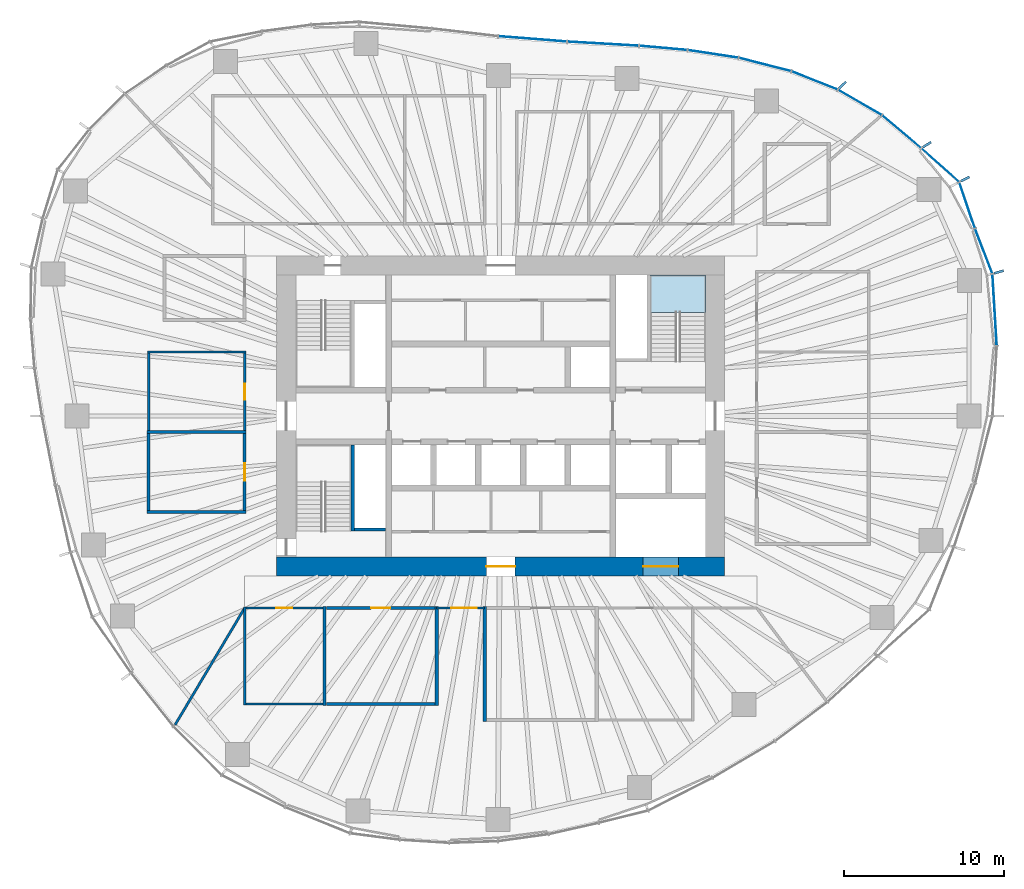
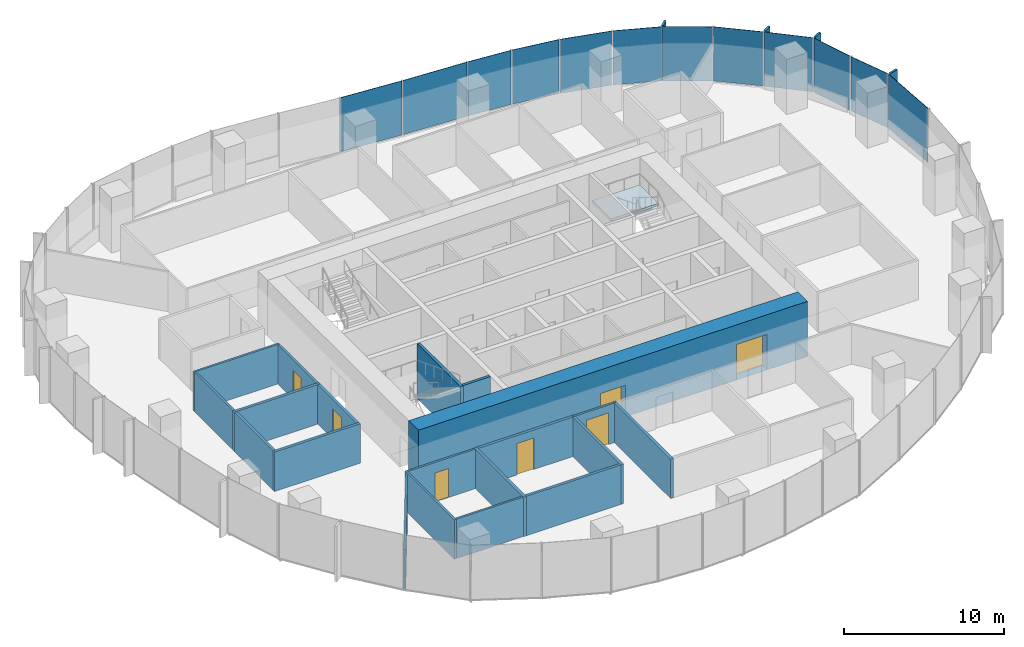
# One storey, part 8 of 18: 20 walls, 16 plates, 7 doors, 1 slab, 7 openings, 6 elements without a shape of their own.
"""IFC4 building model written with IfcOpenShell, lengths in metres."""

import ifcopenshell
import ifcopenshell.guid

model = None  # the IFC model being written
_history = None  # IfcOwnerHistory: only IFC2X3 demands one
_inside = {}  # id of a spatial element -> (the spatial element, [elements in it])
_under = {}  # id of a project, library or spatial element -> (it, [spatial elements below it])
_declared = {}  # id of a project -> (the project, [libraries it declares])
_typed = {}  # id of a type object -> (the type object, [elements of that type])
_made_of = {}  # id of a material, layer set ... -> (it, [elements and type objects made of it])


def new_model(schema):
    """Start an empty IFC model of exactly this schema.

    Asked for "IFC4X3", IfcOpenShell would pick the latest addendum, in which some entities
    have other attributes; the version numbers below select the first issue.
    IFC2X3 requires an IfcOwnerHistory on every rooted entity: one is made here for all.
    """
    global model, _history
    if schema == "IFC4X3":
        model = ifcopenshell.file(schema_version=(4, 3, 0, 0))
    else:
        model = ifcopenshell.file(schema=schema)
    _inside.clear()
    _under.clear()
    _declared.clear()
    _typed.clear()
    _made_of.clear()
    _history = None
    if model.schema == "IFC2X3":
        org = make("IfcOrganization", Name="unknown")
        user = make(
            "IfcPersonAndOrganization",
            ThePerson=make("IfcPerson", FamilyName="unknown"),
            TheOrganization=org,
        )
        app = make(
            "IfcApplication",
            ApplicationDeveloper=org,
            Version="unknown",
            ApplicationFullName="unknown",
            ApplicationIdentifier="unknown",
        )
        _history = make(
            "IfcOwnerHistory",
            OwningUser=user,
            OwningApplication=app,
            ChangeAction="ADDED",
            CreationDate=0,
        )
    return model


def make(cls, **values):
    """One entity of the class cls with the attributes given. An attribute that is None is left unset."""
    return model.create_entity(
        cls, **{name: value for name, value in values.items() if value is not None}
    )


def rooted(cls, **values):
    """An entity with a GlobalId (a new one), such as an element, a storey or a relation."""
    return make(cls, GlobalId=ifcopenshell.guid.new(), OwnerHistory=_history, **values)


def si_unit(unit_type, name, prefix=None):
    """IfcSIUnit, for example si_unit("LENGTHUNIT", "METRE", prefix="MILLI")."""
    return make("IfcSIUnit", UnitType=unit_type, Prefix=prefix, Name=name)


def assignment(units):
    """IfcUnitAssignment: the units of a project."""
    return None if units is None else make("IfcUnitAssignment", Units=units)


def point(xyz):
    """IfcCartesianPoint."""
    return None if xyz is None else make("IfcCartesianPoint", Coordinates=xyz)


def direction(xyz):
    """IfcDirection."""
    return None if xyz is None else make("IfcDirection", DirectionRatios=xyz)


def frame(location, z_axis=None, x_axis=None):
    """IfcAxis2Placement3D, a coordinate frame: its origin and axes. An axis left out is left unset."""
    return make(
        "IfcAxis2Placement3D",
        Location=point(location),
        Axis=direction(z_axis),
        RefDirection=direction(x_axis),
    )


def frame_2d(location, x_axis=None):
    """IfcAxis2Placement2D, a coordinate frame in the plane: its origin and x axis."""
    return make(
        "IfcAxis2Placement2D", Location=point(location), RefDirection=direction(x_axis)
    )


def origin():
    """The frame at (0, 0, 0) with its axes left unset."""
    return frame((0.0, 0.0, 0.0))


def origin_2d():
    """The frame at (0, 0) in the plane with its x axis left unset."""
    return frame_2d((0.0, 0.0))


def place(relative_to, where):
    """IfcLocalPlacement: puts the frame where relative to a parent placement (None: the world)."""
    return make(
        "IfcLocalPlacement", PlacementRelTo=relative_to, RelativePlacement=where
    )


def context(
    kind, dimensions, precision=None, world=None, true_north=None, identifier=None
):
    """IfcGeometricRepresentationContext, for example the 3D "Model" context."""
    return make(
        "IfcGeometricRepresentationContext",
        ContextIdentifier=identifier,
        ContextType=kind,
        CoordinateSpaceDimension=dimensions,
        Precision=precision,
        WorldCoordinateSystem=world,
        TrueNorth=true_north,
    )


def subcontext(parent, identifier, kind, view, scale=None):
    """IfcGeometricRepresentationSubContext, for example "Body" below "Model"."""
    return make(
        "IfcGeometricRepresentationSubContext",
        ContextIdentifier=identifier,
        ContextType=kind,
        ParentContext=parent,
        TargetScale=scale,
        TargetView=view,
    )


def project(units=None, contexts=None):
    """IfcProject with its units and contexts."""
    return rooted(
        "IfcProject",
        Name="project",
        RepresentationContexts=contexts,
        UnitsInContext=assignment(units),
    )


def spatial(cls, under=None, at=None, **own):
    """A site, building, storey or space (cls), placed at a placement, below another one or the project."""
    s = rooted(cls, ObjectPlacement=at, **own)
    if under is not None:
        _under.setdefault(under.id(), (under, []))[1].append(s)
    return s


def polyline(points):
    """IfcPolyline through the points."""
    return make("IfcPolyline", Points=[point(p) for p in points])


def profile(cls, at=None, kind="AREA", **sizes):
    """A parametric profile (cls). Its sizes go by their IFC names, for example OverallWidth=200.0."""
    return make(cls, ProfileType=kind, Position=at, **sizes)


def rectangle(**sizes):
    """IfcRectangleProfileDef."""
    return profile("IfcRectangleProfileDef", **sizes)


def outline(outer, holes=None, kind="AREA"):
    """IfcArbitraryClosedProfileDef: a profile drawn as a closed curve; with holes, ...WithVoids."""
    if holes is None:
        return make("IfcArbitraryClosedProfileDef", ProfileType=kind, OuterCurve=outer)
    return make(
        "IfcArbitraryProfileDefWithVoids",
        ProfileType=kind,
        OuterCurve=outer,
        InnerCurves=holes,
    )


def extrude(swept, where, along, depth):
    """IfcExtrudedAreaSolid: the profile swept, set in the frame where, extruded along a direction by depth."""
    return make(
        "IfcExtrudedAreaSolid",
        SweptArea=swept,
        Position=where,
        ExtrudedDirection=direction(along),
        Depth=depth,
    )


def shape(context_of_items, identifier, shape_type, items):
    """IfcShapeRepresentation: the items that make up one representation, for example the "Body"."""
    return make(
        "IfcShapeRepresentation",
        ContextOfItems=context_of_items,
        RepresentationIdentifier=identifier,
        RepresentationType=shape_type,
        Items=items,
    )


def material(Name=None, Category=None):
    """IfcMaterial."""
    return make("IfcMaterial", Name=Name, Category=Category)


def layer(
    of_material, thickness, ventilated=None, Name=None, Category=None, Priority=None
):
    """IfcMaterialLayer: one layer of a wall or slab, of a material (None: an air gap)."""
    return make(
        "IfcMaterialLayer",
        Material=of_material,
        LayerThickness=thickness,
        IsVentilated=ventilated,
        Name=Name,
        Category=Category,
        Priority=Priority,
    )


def layer_set(layers, Name=None):
    """IfcMaterialLayerSet."""
    return make("IfcMaterialLayerSet", MaterialLayers=layers, LayerSetName=Name)


def made_of(thing, what):
    """Note that an element or type object is made of a material, layer set ...; save() writes the relation."""
    if what is not None:
        _made_of.setdefault(what.id(), (what, []))[1].append(thing)
    return thing


def type_object(cls, material=None, **own):
    """A type object (cls), such as IfcWallType, which elements share."""
    return made_of(rooted(cls, **own), material)


def element(
    cls,
    number,
    at=None,
    inside=None,
    cuts=None,
    type_object=None,
    material=None,
    context=None,
    identifier="Body",
    shape_type=None,
    held_by="IfcProductDefinitionShape",
    body=None,
    shapes=None,
    **own,
):
    """One element of the class cls, such as IfcWall. Its Tag is "e" and its number.

    at: its placement. inside: the storey or other place that contains it. cuts: it is an
    opening in that element (IfcRelVoidsElement). A single representation is given by context,
    identifier, shape_type and body (its items); several are given by shapes. held_by: the class
    of the entity that holds the representations. save() writes the other relations.
    """
    e = rooted(cls, Tag="e%d" % number, ObjectPlacement=at, **own)
    if body is not None:
        shapes = [shape(context, identifier, shape_type, body)]
    if shapes is not None:
        e.Representation = make(held_by, Representations=shapes)
    if inside is not None:
        _inside.setdefault(inside.id(), (inside, []))[1].append(e)
    if cuts is not None:
        rooted(
            "IfcRelVoidsElement", RelatingBuildingElement=cuts, RelatedOpeningElement=e
        )
    if type_object is not None:
        _typed.setdefault(type_object.id(), (type_object, []))[1].append(e)
    return made_of(e, material)


def fill(opening, filler):
    """IfcRelFillsElement: the door or window that sits in an opening."""
    return rooted(
        "IfcRelFillsElement",
        RelatingOpeningElement=opening,
        RelatedBuildingElement=filler,
    )


def aggregate(whole, parts):
    """IfcRelAggregates: a whole, such as a stair, and the parts it consists of."""
    return rooted("IfcRelAggregates", RelatingObject=whole, RelatedObjects=parts)


def save(model, path):
    """Write the relations noted so far, then the file.

    IfcRelAggregates (storeys below a building ...), IfcRelContainedInSpatialStructure (elements
    in a storey), IfcRelDefinesByType, IfcRelAssociatesMaterial and IfcRelDeclares: one each for
    every whole, place, type object, material and project.
    """
    for whole, parts in _under.values():
        aggregate(whole, parts)
    for where, things in _inside.values():
        rooted(
            "IfcRelContainedInSpatialStructure",
            RelatedElements=things,
            RelatingStructure=where,
        )
    for kind, things in _typed.values():
        rooted("IfcRelDefinesByType", RelatedObjects=things, RelatingType=kind)
    for what, things in _made_of.values():
        rooted("IfcRelAssociatesMaterial", RelatedObjects=things, RelatingMaterial=what)
    for by, libraries in _declared.values():
        rooted("IfcRelDeclares", RelatingContext=by, RelatedDefinitions=libraries)
    model.write(path)


model = new_model("IFC4")

# Units and contexts
model_context = context("Model", 3, precision=1e-05, world=origin(), true_north=direction((0.0, 1.0)))
body_context = subcontext(model_context, "Body", "Model", "MODEL_VIEW")
ifc_project = project(units=[si_unit("LENGTHUNIT", "METRE"), si_unit("AREAUNIT", "SQUARE_METRE"), si_unit("VOLUMEUNIT", "CUBIC_METRE"), si_unit("PLANEANGLEUNIT", "RADIAN"), si_unit("MASSUNIT", "GRAM", prefix="KILO")], contexts=[model_context])

# Site, building, storey
site_placement = place(None, origin())
site = spatial("IfcSite", under=ifc_project, at=site_placement, CompositionType="ELEMENT")
building_placement = place(site_placement, origin())
building = spatial("IfcBuilding", under=site, at=building_placement, Name="Ghaith Harvest Tower", CompositionType="ELEMENT")
storey_placement = place(building_placement, frame((0.0, 0.0, 117.60009765625)))
storey = spatial("IfcBuildingStorey", under=building, at=storey_placement, Name="L24", CompositionType="ELEMENT", Elevation=117.60009765625)

# Curtain wall, plate
ifc_material_1 = material(Name="Black anodised aluminium and fritted glass", Category="aluminium")
curtain_wall_type = type_object("IfcCurtainWallType", Name="CW-L CURTAIN WALL", PredefinedType="NOTDEFINED", material=ifc_material_1)
curtain_wall_1_placement = place(storey_placement, origin())
curtain_wall_1 = element("IfcCurtainWall", 1, at=curtain_wall_1_placement, inside=storey, type_object=curtain_wall_type, Name="Curtain wall CW-L bay 01 L24", PredefinedType="NOTDEFINED")
ifc_material_2 = material(Name="Glass, dark solar-control fritted double glazed unit", Category="glass")
ifc_layer_1 = layer(ifc_material_2, 0.031982421875)
ifc_layer_set_1 = layer_set([ifc_layer_1], Name="CW-L VISION PANEL")
plate_type_1 = type_object("IfcPlateType", Name="CW-L VISION PANEL", PredefinedType="CURTAIN_PANEL", material=ifc_layer_set_1)
plate_1_placement = place(storey_placement, frame((30.863037109375, 6.63525390625, 0.079833984375), z_axis=(0.0, 0.0, 1.0), x_axis=(-0.060320650032, 0.998179051663, 0.0)))
plate_1 = element("IfcPlate", 2, at=plate_1_placement, type_object=plate_type_1, Name="CW-L glass unit 2 bay 01 L24", PredefinedType="CURTAIN_PANEL", context=body_context, shape_type="SweptSolid", body=[
    extrude(rectangle(XDim=4.419189453125, YDim=0.031982421875, at=origin_2d()), origin(), (0.0, 0.0, 1.0), 4.1201171875),
])
aggregate(curtain_wall_1, [plate_1])

# Curtain wall, plates
curtain_wall_2_placement = place(storey_placement, origin())
curtain_wall_2 = element("IfcCurtainWall", 3, at=curtain_wall_2_placement, inside=storey, type_object=curtain_wall_type, Name="Curtain wall CW-L bay 02 L24", PredefinedType="NOTDEFINED")
plate_2_placement = place(storey_placement, frame((30.180908203125, 10.29833984375, 0.079833984375), z_axis=(0.0, 0.0, 1.0), x_axis=(-0.359676824997, 0.933076943001, 0.0)))
plate_2 = element("IfcPlate", 4, at=plate_2_placement, type_object=plate_type_1, Name="CW-L glass unit 1 bay 02 L24", PredefinedType="CURTAIN_PANEL", context=body_context, shape_type="SweptSolid", body=[
    extrude(rectangle(XDim=2.95849609375, YDim=0.031982421875, at=origin_2d()), origin(), (0.0, 0.0, 1.0), 4.1201171875),
])
plate_3_placement = place(storey_placement, frame((29.142333984375, 13.163818359375, 0.079833984375), z_axis=(0.0, 0.0, 1.0), x_axis=(-0.321853304376, 0.946789549194, 0.0)))
plate_3 = element("IfcPlate", 5, at=plate_3_placement, type_object=plate_type_1, Name="CW-L glass unit 2 bay 02 L24", PredefinedType="CURTAIN_PANEL", context=body_context, shape_type="SweptSolid", body=[
    extrude(rectangle(XDim=2.978759765625, YDim=0.031982421875, at=origin_2d()), origin(), (0.0, 0.0, 1.0), 4.1201171875),
])
plate_4_placement = place(storey_placement, frame((27.46533203125, 15.668701171875, 0.079833984375), z_axis=(0.0, 0.0, 1.0), x_axis=(-0.746250544556, 0.665665174656, 0.0)))
plate_4 = element("IfcPlate", 6, at=plate_4_placement, type_object=plate_type_1, Name="CW-L glass unit 3 bay 02 L24", PredefinedType="CURTAIN_PANEL", context=body_context, shape_type="SweptSolid", body=[
    extrude(rectangle(XDim=3.094970703125, YDim=0.031982421875, at=origin_2d()), origin(), (0.0, 0.0, 1.0), 4.1201171875),
])
aggregate(curtain_wall_2, [plate_2, plate_3, plate_4])

curtain_wall_3_placement = place(storey_placement, origin())
curtain_wall_3 = element("IfcCurtainWall", 7, at=curtain_wall_3_placement, inside=storey, type_object=curtain_wall_type, Name="Curtain wall CW-L bay 03 L24", PredefinedType="NOTDEFINED")
plate_5_placement = place(storey_placement, frame((25.05126953125, 17.7587890625, 0.079833984375), z_axis=(0.0, 0.0, 1.0), x_axis=(-0.765473064857, 0.643467937801, 0.0)))
plate_5 = element("IfcPlate", 8, at=plate_5_placement, type_object=plate_type_1, Name="CW-L glass unit 1 bay 03 L24", PredefinedType="CURTAIN_PANEL", context=body_context, shape_type="SweptSolid", body=[
    extrude(rectangle(XDim=3.13232421875, YDim=0.031982421875, at=origin_2d()), origin(), (0.0, 0.0, 1.0), 4.1201171875),
])
plate_6_placement = place(storey_placement, frame((22.444091796875, 19.590576171875, 0.079833984375), z_axis=(0.0, 0.0, 1.0), x_axis=(-0.865232087993, 0.501371552751, 0.0)))
plate_6 = element("IfcPlate", 9, at=plate_6_placement, type_object=plate_type_1, Name="CW-L glass unit 2 bay 03 L24", PredefinedType="CURTAIN_PANEL", context=body_context, shape_type="SweptSolid", body=[
    extrude(rectangle(XDim=3.10498046875, YDim=0.031982421875, at=origin_2d()), origin(), (0.0, 0.0, 1.0), 4.1201171875),
])
plate_7_placement = place(storey_placement, frame((19.6142578125, 20.963623046875, 0.079833984375), z_axis=(0.0, 0.0, 1.0), x_axis=(-0.929876534019, 0.367871759558, 0.0)))
plate_7 = element("IfcPlate", 10, at=plate_7_placement, type_object=plate_type_1, Name="CW-L glass unit 3 bay 03 L24", PredefinedType="CURTAIN_PANEL", context=body_context, shape_type="SweptSolid", body=[
    extrude(rectangle(XDim=3.042724609375, YDim=0.031982421875, at=origin_2d()), origin(), (0.0, 0.0, 1.0), 4.1201171875),
])
aggregate(curtain_wall_3, [plate_5, plate_6, plate_7])

curtain_wall_4_placement = place(storey_placement, origin())
curtain_wall_4 = element("IfcCurtainWall", 11, at=curtain_wall_4_placement, inside=storey, type_object=curtain_wall_type, Name="Curtain wall CW-L bay 04 L24", PredefinedType="NOTDEFINED")
plate_8_placement = place(storey_placement, frame((16.513427734375, 21.958740234375, 0.079833984375), z_axis=(0.0, 0.0, 1.0), x_axis=(-0.96893110987, 0.247330758955, 0.0)))
plate_8 = element("IfcPlate", 12, at=plate_8_placement, type_object=plate_type_1, Name="CW-L glass unit 1 bay 04 L24", PredefinedType="CURTAIN_PANEL", context=body_context, shape_type="SweptSolid", body=[
    extrude(rectangle(XDim=3.3232421875, YDim=0.031982421875, at=origin_2d()), origin(), (0.0, 0.0, 1.0), 4.1201171875),
])
plate_9_placement = place(storey_placement, frame((13.2685546875, 22.621826171875, 0.079833984375), z_axis=(0.0, 0.0, 1.0), x_axis=(-0.988678736369, 0.150047846542, 0.0)))
plate_9 = element("IfcPlate", 13, at=plate_9_placement, type_object=plate_type_1, Name="CW-L glass unit 2 bay 04 L24", PredefinedType="CURTAIN_PANEL", context=body_context, shape_type="SweptSolid", body=[
    extrude(rectangle(XDim=3.14892578125, YDim=0.031982421875, at=origin_2d()), origin(), (0.0, 0.0, 1.0), 4.1201171875),
])
plate_10_placement = place(storey_placement, frame((10.15966796875, 22.9970703125, 0.079833984375), z_axis=(0.0, 0.0, 1.0), x_axis=(-0.996166190972, 0.087480969151, 0.0)))
plate_10 = element("IfcPlate", 14, at=plate_10_placement, type_object=plate_type_1, Name="CW-L glass unit 3 bay 04 L24", PredefinedType="CURTAIN_PANEL", context=body_context, shape_type="SweptSolid", body=[
    extrude(rectangle(XDim=2.957275390625, YDim=0.031982421875, at=origin_2d()), origin(), (0.0, 0.0, 1.0), 4.1201171875),
])
aggregate(curtain_wall_4, [plate_8, plate_9, plate_10])

curtain_wall_5_placement = place(storey_placement, origin())
curtain_wall_5 = element("IfcCurtainWall", 15, at=curtain_wall_5_placement, inside=storey, type_object=curtain_wall_type, Name="Curtain wall CW-L bay 05 L24", PredefinedType="NOTDEFINED")
plate_11_placement = place(storey_placement, frame((6.396728515625, 23.260498046875, 0.079833984375), z_axis=(0.0, 0.0, 1.0), x_axis=(-0.998320798751, 0.05792739233, 0.0)))
plate_11 = element("IfcPlate", 16, at=plate_11_placement, type_object=plate_type_1, Name="CW-L glass unit 1 bay 05 L24", PredefinedType="CURTAIN_PANEL", context=body_context, shape_type="SweptSolid", body=[
    extrude(rectangle(XDim=4.427734375, YDim=0.031982421875, at=origin_2d()), origin(), (0.0, 0.0, 1.0), 4.1201171875),
])
plate_12_placement = place(storey_placement, frame((1.9921875, 23.560302734375, 0.079833984375), z_axis=(0.0, 0.0, 1.0), x_axis=(-0.996925121312, 0.078360082291, 0.0)))
plate_12 = element("IfcPlate", 17, at=plate_12_placement, type_object=plate_type_1, Name="CW-L glass unit 2 bay 05 L24", PredefinedType="CURTAIN_PANEL", context=body_context, shape_type="SweptSolid", body=[
    extrude(rectangle(XDim=4.242431640625, YDim=0.031982421875, at=origin_2d()), origin(), (0.0, 0.0, 1.0), 4.1201171875),
])
aggregate(curtain_wall_5, [plate_11, plate_12])

# Stair, slab
ifc_material_3 = material(Name="Concrete C40/50, precast", Category="concrete")
stair_type = type_object("IfcStairType", Name="CORE STAIR 24R", PredefinedType="HALF_TURN_STAIR", material=ifc_material_3)
stair_placement = place(storey_placement, origin())
stair = element("IfcStair", 18, at=stair_placement, inside=storey, type_object=stair_type, Name="Stair ST2 L24", PredefinedType="HALF_TURN_STAIR")
ifc_material_4 = material(Name="Concrete C40/50, precast", Category="concrete")
ifc_layer_2 = layer(ifc_material_4, 0.179931640625)
ifc_layer_set_2 = layer_set([ifc_layer_2], Name="STAIR LANDING 180")
slab_type = type_object("IfcSlabType", Name="STAIR LANDING 180", PredefinedType="LANDING", material=ifc_layer_set_2)
slab_placement = place(storey_placement, frame((0.0, 0.0, 1.919921875)))
slab = element("IfcSlab", 19, at=slab_placement, type_object=slab_type, Name="ST2 landing 1", PredefinedType="LANDING", context=body_context, shape_type="SweptSolid", body=[
    extrude(outline(polyline([(12.800048828125, 6.4599609375), (12.800048828125, 8.800048828125), (9.35009765625, 8.800048828125), (9.35009765625, 6.4599609375), (12.800048828125, 6.4599609375)])), origin(), (0.0, 0.0, 1.0), 0.179931640625),
])
aggregate(stair, [slab])

# Plates
ifc_material_5 = material(Name="Glassfibre-reinforced concrete", Category="concrete")
ifc_layer_3 = layer(ifc_material_5, 0.14990234375)
ifc_layer_set_3 = layer_set([ifc_layer_3], Name="SUN-BREAKER FIN 600x150")
plate_type_2 = type_object("IfcPlateType", Name="SUN-BREAKER FIN 600x150", PredefinedType="USERDEFINED", material=ifc_layer_set_3)
for number, where, z_axis, x_axis, name in (
    (20, (31.130859375, 8.99755859375, 0.0), (0.0, 0.0, 1.0), (0.960680349985, 0.277656739792, 0.0), "Sun-breaker fin CW-L 1 bay 02 L24"),
    (21, (29.024169921875, 14.802734375, 0.0), (0.0, 0.0, 1.0), (0.890830752257, 0.454335306611, 0.0), "Sun-breaker fin CW-L 3 bay 02 L24"),
    (22, (26.635009765625, 16.95068359375, 0.0), (0.0, 0.0, 1.0), (0.843643971464, 0.536903016766, 0.0), "Sun-breaker fin CW-L 1 bay 03 L24"),
    (23, (21.367919921875, 20.68115234375, 0.0), (0.0, 0.0, 1.0), (0.7185589652, 0.69546604053, 0.0), "Sun-breaker fin CW-L 3 bay 03 L24"),
):
    element("IfcPlate", number, at=place(storey_placement, frame(where, z_axis=z_axis, x_axis=x_axis)), inside=storey, type_object=plate_type_2, Name=name, ObjectType="SUN-BREAKER FIN", PredefinedType="USERDEFINED", context=body_context, shape_type="SweptSolid", body=[
        extrude(rectangle(XDim=0.60009765625, YDim=0.14990234375, at=origin_2d()), origin(), (0.0, 0.0, 1.0), 4.199951171875),
    ])

# Walls
ifc_material_6 = material(Name="Twin-stud gypsum board, acoustic", Category="gypsum")
ifc_layer_4 = layer(ifc_material_6, 0.199951171875)
ifc_layer_set_4 = layer_set([ifc_layer_4], Name="ACOUSTIC PARTITION 200")
wall_type_1 = type_object("IfcWallType", Name="ACOUSTIC PARTITION 200", PredefinedType="PARTITIONING", material=ifc_layer_set_4)
for number, where, z_axis, x_axis, name in (
    (24, (-11.0, -11.89990234375, 0.0), (0.0, 0.0, 1.0), (0.0, -1.0, 0.0), "Partition L24 row S3 cross wall 2"),
    (25, (-4.0, -11.89990234375, 0.0), (0.0, 0.0, 1.0), (0.0, -1.0, 0.0), "Partition L24 row S3 cross wall 3"),
):
    element("IfcWall", number, at=place(storey_placement, frame(where, z_axis=z_axis, x_axis=x_axis)), inside=storey, type_object=wall_type_1, Name=name, PredefinedType="PARTITIONING", context=body_context, shape_type="SweptSolid", body=[
        extrude(rectangle(XDim=6.2001953125, YDim=0.199951171875, at=frame_2d((3.10009765625, 0.0))), origin(), (0.0, 0.0, 1.0), 3.0),
    ])

# Wall, opening, door
wall_1_placement = place(storey_placement, frame((-10.89990234375, -12.0, 0.0), z_axis=(0.0, 0.0, 1.0), x_axis=(1.0, 0.0, 0.0)))
wall_1 = element("IfcWall", 26, at=wall_1_placement, inside=storey, type_object=wall_type_1, Name="Partition L24-07", PredefinedType="PARTITIONING", context=body_context, shape_type="SweptSolid", body=[
    extrude(rectangle(XDim=6.7998046875, YDim=0.199951171875, at=frame_2d((3.39990234375, 0.0))), origin(), (0.0, 0.0, 1.0), 3.0),
])
opening_1_placement = place(wall_1_placement, frame((2.800048828125, 0.0, 0.0)))
opening_1 = element("IfcOpeningElement", 27, at=opening_1_placement, cuts=wall_1, Name="Opening 24-032", PredefinedType="OPENING", context=body_context, shape_type="SweptSolid", body=[
    extrude(rectangle(XDim=1.199951171875, YDim=2.39990234375, at=frame_2d((0.60009765625, 1.199951171875))), frame((0.0, 0.10986328125, 0.0), z_axis=(0.0, -1.0, 0.0), x_axis=(1.0, 0.0, 0.0)), (0.0, 0.0, 1.0), 0.219970703125),
])
ifc_material_7 = material(Name="Timber door", Category="wood")
door_type_1 = type_object("IfcDoorType", Name="D11 GLAZED 1200x2400", OperationType="SINGLE_SWING_LEFT", PredefinedType="DOOR", material=ifc_material_7)
door_1_placement = place(opening_1_placement, origin())
door_1 = element("IfcDoor", 28, at=door_1_placement, inside=storey, type_object=door_type_1, Name="Meeting room door", OperationType="SINGLE_SWING_LEFT", OverallHeight=2.39990234375, OverallWidth=1.199951171875, PredefinedType="DOOR", context=body_context, shape_type="SweptSolid", body=[
    extrude(rectangle(XDim=1.199951171875, YDim=2.39990234375, at=frame_2d((0.60009765625, 1.199951171875))), frame((0.0, 0.02490234375, 0.0), z_axis=(0.0, -1.0, 0.0), x_axis=(1.0, 0.0, 0.0)), (0.0, 0.0, 1.0), 0.050048828125),
])
fill(opening_1, door_1)

# Walls
wall_2_placement = place(storey_placement, frame((-10.89990234375, -18.0, 0.0), z_axis=(0.0, 0.0, 1.0), x_axis=(1.0, 0.0, 0.0)))
element("IfcWall", 29, at=wall_2_placement, inside=storey, type_object=wall_type_1, Name="Partition L24-07", PredefinedType="PARTITIONING", context=body_context, shape_type="SweptSolid", body=[
    extrude(rectangle(XDim=6.7998046875, YDim=0.199951171875, at=frame_2d((3.39990234375, 0.0))), origin(), (0.0, 0.0, 1.0), 3.0),
])
wall_3_placement = place(storey_placement, frame((-1.0, -11.89990234375, 0.0), z_axis=(0.0, 0.0, 1.0), x_axis=(0.0, -1.0, 0.0)))
element("IfcWall", 30, at=wall_3_placement, inside=storey, type_object=wall_type_1, Name="Partition L24 row S4 cross wall 1", PredefinedType="PARTITIONING", context=body_context, shape_type="SweptSolid", body=[
    extrude(rectangle(XDim=7.2001953125, YDim=0.199951171875, at=frame_2d((3.60009765625, 0.0))), origin(), (0.0, 0.0, 1.0), 3.0),
])
for number, where, z_axis, x_axis, name in (
    (31, (-15.89990234375, -6.0, 0.0), (0.0, 0.0, 1.0), (-1.0, 0.0, 0.0), "Partition L24 row W6 cross wall 1"),
    (32, (-15.89990234375, -1.0, 0.0), (0.0, 0.0, 1.0), (-1.0, 0.0, 0.0), "Partition L24 row W6 cross wall 2"),
):
    element("IfcWall", number, at=place(storey_placement, frame(where, z_axis=z_axis, x_axis=x_axis)), inside=storey, type_object=wall_type_1, Name=name, PredefinedType="PARTITIONING", context=body_context, shape_type="SweptSolid", body=[
        extrude(rectangle(XDim=6.2001953125, YDim=0.199951171875, at=frame_2d((3.10009765625, 0.0))), origin(), (0.0, 0.0, 1.0), 3.0),
    ])

# Wall, opening, door
wall_4_placement = place(storey_placement, frame((-16.0, -5.89990234375, 0.0), z_axis=(0.0, 0.0, 1.0), x_axis=(0.0, 1.0, 0.0)))
wall_4 = element("IfcWall", 33, at=wall_4_placement, inside=storey, type_object=wall_type_1, Name="Partition L24-13", PredefinedType="PARTITIONING", context=body_context, shape_type="SweptSolid", body=[
    extrude(rectangle(XDim=4.7998046875, YDim=0.199951171875, at=frame_2d((2.39990234375, 0.0))), origin(), (0.0, 0.0, 1.0), 3.0),
])
opening_2_placement = place(wall_4_placement, frame((1.85009765625, 0.0, 0.0)))
opening_2 = element("IfcOpeningElement", 34, at=opening_2_placement, cuts=wall_4, Name="Opening 24-038", PredefinedType="OPENING", context=body_context, shape_type="SweptSolid", body=[
    extrude(rectangle(XDim=1.10009765625, YDim=2.300048828125, at=frame_2d((0.550048828125, 1.14990234375))), frame((0.0, 0.10986328125, 0.0), z_axis=(0.0, -1.0, 0.0), x_axis=(1.0, 0.0, 0.0)), (0.0, 0.0, 1.0), 0.219970703125),
])
ifc_material_8 = material(Name="Timber-framed glazed door", Category="wood")
door_type_2 = type_object("IfcDoorType", Name="D12 GLAZED OFFICE 1100x2300", OperationType="SINGLE_SWING_LEFT", PredefinedType="DOOR", material=ifc_material_8)
door_2_placement = place(opening_2_placement, origin())
door_2 = element("IfcDoor", 35, at=door_2_placement, inside=storey, type_object=door_type_2, Name="Focus room door", OperationType="SINGLE_SWING_LEFT", OverallHeight=2.300048828125, OverallWidth=1.10009765625, PredefinedType="DOOR", context=body_context, shape_type="SweptSolid", body=[
    extrude(rectangle(XDim=1.10009765625, YDim=2.300048828125, at=frame_2d((0.550048828125, 1.14990234375))), frame((0.0, 0.02490234375, 0.0), z_axis=(0.0, -1.0, 0.0), x_axis=(1.0, 0.0, 0.0)), (0.0, 0.0, 1.0), 0.050048828125),
])
fill(opening_2, door_2)

# Wall
wall_5_placement = place(storey_placement, frame((-22.0, -5.89990234375, 0.0), z_axis=(0.0, 0.0, 1.0), x_axis=(0.0, 1.0, 0.0)))
element("IfcWall", 36, at=wall_5_placement, inside=storey, type_object=wall_type_1, Name="Partition L24-13", PredefinedType="PARTITIONING", context=body_context, shape_type="SweptSolid", body=[
    extrude(rectangle(XDim=4.7998046875, YDim=0.199951171875, at=frame_2d((2.39990234375, 0.0))), origin(), (0.0, 0.0, 1.0), 3.0),
])

# Wall, openings, doors
ifc_material_9 = material(Name="Concrete C60/75", Category="concrete")
ifc_layer_5 = layer(ifc_material_9, 1.199951171875)
ifc_layer_set_5 = layer_set([ifc_layer_5], Name="CORE WALL CW1200 C60")
wall_type_2 = type_object("IfcWallType", Name="CORE WALL CW1200 C60", PredefinedType="SHEAR", material=ifc_layer_set_5)
wall_6_placement = place(storey_placement, frame((-14.0, -9.39990234375, 0.0), z_axis=(0.0, 0.0, 1.0), x_axis=(1.0, 0.0, 0.0)))
wall_6 = element("IfcWall", 37, at=wall_6_placement, inside=storey, type_object=wall_type_2, Name="Core wall S L24", PredefinedType="SHEAR", context=body_context, shape_type="SweptSolid", body=[
    extrude(rectangle(XDim=28.0, YDim=1.199951171875, at=frame_2d((14.0, 0.0))), origin(), (0.0, 0.0, 1.0), 4.199951171875),
])
opening_3_placement = place(wall_6_placement, frame((13.10009765625, 0.0, 0.0)))
opening_3 = element("IfcOpeningElement", 38, at=opening_3_placement, cuts=wall_6, Name="Opening 24-018", PredefinedType="OPENING", context=body_context, shape_type="SweptSolid", body=[
    extrude(rectangle(XDim=1.800048828125, YDim=2.39990234375, at=frame_2d((0.89990234375, 1.199951171875))), frame((0.0, 0.60986328125, 0.0), z_axis=(0.0, -1.0, 0.0), x_axis=(1.0, 0.0, 0.0)), (0.0, 0.0, 1.0), 1.219970703125),
])
opening_4_placement = place(wall_6_placement, frame((22.89990234375, 0.0, 0.0)))
opening_4 = element("IfcOpeningElement", 39, at=opening_4_placement, cuts=wall_6, Name="Opening 24-025", PredefinedType="OPENING", context=body_context, shape_type="SweptSolid", body=[
    extrude(rectangle(XDim=2.199951171875, YDim=2.699951171875, at=frame_2d((1.10009765625, 1.35009765625))), frame((0.0, 0.60986328125, 0.0), z_axis=(0.0, -1.0, 0.0), x_axis=(1.0, 0.0, 0.0)), (0.0, 0.0, 1.0), 1.219970703125),
])
ifc_material_10 = material(Name="Steel fire door", Category="steel")
door_type_3 = type_object("IfcDoorType", Name="D4 FD90 PAIR 1800x2400", OperationType="DOUBLE_DOOR_SINGLE_SWING", PredefinedType="DOOR", material=ifc_material_10)
door_3_placement = place(opening_3_placement, origin())
door_3 = element("IfcDoor", 40, at=door_3_placement, inside=storey, type_object=door_type_3, Name="Core service corridor doors", OperationType="DOUBLE_DOOR_SINGLE_SWING", OverallHeight=2.39990234375, OverallWidth=1.800048828125, PredefinedType="DOOR", context=body_context, shape_type="SweptSolid", body=[
    extrude(rectangle(XDim=1.800048828125, YDim=2.39990234375, at=frame_2d((0.89990234375, 1.199951171875))), frame((0.0, 0.02490234375, 0.0), z_axis=(0.0, -1.0, 0.0), x_axis=(1.0, 0.0, 0.0)), (0.0, 0.0, 1.0), 0.050048828125),
])
fill(opening_3, door_3)
ifc_material_11 = material(Name="Steel fire door", Category="steel")
door_type_4 = type_object("IfcDoorType", Name="LD3 LANDING 2200x2700", OperationType="DOUBLE_DOOR_SLIDING", PredefinedType="DOOR", material=ifc_material_11)
door_4_placement = place(opening_4_placement, origin())
door_4 = element("IfcDoor", 41, at=door_4_placement, inside=storey, type_object=door_type_4, Name="Landing door, goods lift GL1", OperationType="DOUBLE_DOOR_SLIDING", OverallHeight=2.699951171875, OverallWidth=2.199951171875, PredefinedType="DOOR", context=body_context, shape_type="SweptSolid", body=[
    extrude(rectangle(XDim=2.199951171875, YDim=2.699951171875, at=frame_2d((1.10009765625, 1.35009765625))), frame((0.0, 0.02490234375, 0.0), z_axis=(0.0, -1.0, 0.0), x_axis=(1.0, 0.0, 0.0)), (0.0, 0.0, 1.0), 0.050048828125),
])
fill(opening_4, door_4)

# Wall
ifc_material_12 = material(Name="Gypsum board on steel studs", Category="steel")
ifc_layer_6 = layer(ifc_material_12, 0.14990234375)
ifc_layer_set_6 = layer_set([ifc_layer_6], Name="PARTITION 150")
wall_type_3 = type_object("IfcWallType", Name="PARTITION 150", PredefinedType="PARTITIONING", material=ifc_layer_set_6)
wall_7_placement = place(storey_placement, frame((-16.0, -11.925048828125, 0.0), z_axis=(0.0, 0.0, 1.0), x_axis=(0.0, -1.0, 0.0)))
element("IfcWall", 42, at=wall_7_placement, inside=storey, type_object=wall_type_3, Name="Partition L24 row S3 cross wall 1", PredefinedType="PARTITIONING", context=body_context, shape_type="SweptSolid", body=[
    extrude(rectangle(XDim=6.14990234375, YDim=0.14990234375, at=frame_2d((3.074951171875, 0.0))), origin(), (0.0, 0.0, 1.0), 3.0),
])

# Wall, opening, door
wall_8_placement = place(storey_placement, frame((-15.925048828125, -12.0, 0.0), z_axis=(0.0, 0.0, 1.0), x_axis=(1.0, 0.0, 0.0)))
wall_8 = element("IfcWall", 43, at=wall_8_placement, inside=storey, type_object=wall_type_3, Name="Partition L24-06", PredefinedType="PARTITIONING", context=body_context, shape_type="SweptSolid", body=[
    extrude(rectangle(XDim=4.824951171875, YDim=0.14990234375, at=frame_2d((2.41259765625, 0.0))), origin(), (0.0, 0.0, 1.0), 3.0),
])
opening_5_placement = place(wall_8_placement, frame((1.91259765625, 0.0, 0.0)))
opening_5 = element("IfcOpeningElement", 44, at=opening_5_placement, cuts=wall_8, Name="Opening 24-031", PredefinedType="OPENING", context=body_context, shape_type="SweptSolid", body=[
    extrude(rectangle(XDim=1.0, YDim=2.199951171875, at=frame_2d((0.5, 1.10009765625))), frame((0.0, 0.0849609375, 0.0), z_axis=(0.0, -1.0, 0.0), x_axis=(1.0, 0.0, 0.0)), (0.0, 0.0, 1.0), 0.169921875),
])
ifc_material_13 = material(Name="Timber door", Category="wood")
door_type_5 = type_object("IfcDoorType", Name="D1 SINGLE 1000x2200", OperationType="SINGLE_SWING_LEFT", PredefinedType="DOOR", material=ifc_material_13)
door_5_placement = place(opening_5_placement, origin())
door_5 = element("IfcDoor", 45, at=door_5_placement, inside=storey, type_object=door_type_5, Name="Store door", OperationType="SINGLE_SWING_LEFT", OverallHeight=2.199951171875, OverallWidth=1.0, PredefinedType="DOOR", context=body_context, shape_type="SweptSolid", body=[
    extrude(rectangle(XDim=1.0, YDim=2.199951171875, at=frame_2d((0.5, 1.10009765625))), frame((0.0, 0.02490234375, 0.0), z_axis=(0.0, -1.0, 0.0), x_axis=(1.0, 0.0, 0.0)), (0.0, 0.0, 1.0), 0.050048828125),
])
fill(opening_5, door_5)

# Walls
wall_9_placement = place(storey_placement, frame((-15.925048828125, -18.0, 0.0), z_axis=(0.0, 0.0, 1.0), x_axis=(1.0, 0.0, 0.0)))
element("IfcWall", 46, at=wall_9_placement, inside=storey, type_object=wall_type_3, Name="Partition L24-06", PredefinedType="PARTITIONING", context=body_context, shape_type="SweptSolid", body=[
    extrude(rectangle(XDim=4.824951171875, YDim=0.14990234375, at=frame_2d((2.41259765625, 0.0))), origin(), (0.0, 0.0, 1.0), 3.0),
])
wall_10_placement = place(storey_placement, frame((-15.925048828125, 4.0, 0.0), z_axis=(0.0, 0.0, 1.0), x_axis=(-1.0, 0.0, 0.0)))
element("IfcWall", 47, at=wall_10_placement, inside=storey, type_object=wall_type_3, Name="Partition L24 row W6 cross wall 3", PredefinedType="PARTITIONING", context=body_context, shape_type="SweptSolid", body=[
    extrude(rectangle(XDim=6.14990234375, YDim=0.14990234375, at=frame_2d((3.074951171875, 0.0))), origin(), (0.0, 0.0, 1.0), 3.0),
])

# Wall, opening, door
wall_11_placement = place(storey_placement, frame((-16.0, -0.89990234375, 0.0), z_axis=(0.0, 0.0, 1.0), x_axis=(0.0, 1.0, 0.0)))
wall_11 = element("IfcWall", 48, at=wall_11_placement, inside=storey, type_object=wall_type_3, Name="Partition L24-14", PredefinedType="PARTITIONING", context=body_context, shape_type="SweptSolid", body=[
    extrude(rectangle(XDim=4.824951171875, YDim=0.14990234375, at=frame_2d((2.41259765625, 0.0))), origin(), (0.0, 0.0, 1.0), 3.0),
])
opening_6_placement = place(wall_11_placement, frame((1.91259765625, 0.0, 0.0)))
opening_6 = element("IfcOpeningElement", 49, at=opening_6_placement, cuts=wall_11, Name="Opening 24-039", PredefinedType="OPENING", context=body_context, shape_type="SweptSolid", body=[
    extrude(rectangle(XDim=1.0, YDim=2.199951171875, at=frame_2d((0.5, 1.10009765625))), frame((0.0, 0.0849609375, 0.0), z_axis=(0.0, -1.0, 0.0), x_axis=(1.0, 0.0, 0.0)), (0.0, 0.0, 1.0), 0.169921875),
])
door_6_placement = place(opening_6_placement, origin())
door_6 = element("IfcDoor", 50, at=door_6_placement, inside=storey, type_object=door_type_5, Name="Print room door", OperationType="SINGLE_SWING_LEFT", OverallHeight=2.199951171875, OverallWidth=1.0, PredefinedType="DOOR", context=body_context, shape_type="SweptSolid", body=[
    extrude(rectangle(XDim=1.0, YDim=2.199951171875, at=frame_2d((0.5, 1.10009765625))), frame((0.0, 0.02490234375, 0.0), z_axis=(0.0, -1.0, 0.0), x_axis=(1.0, 0.0, 0.0)), (0.0, 0.0, 1.0), 0.050048828125),
])
fill(opening_6, door_6)

# Walls
wall_12_placement = place(storey_placement, frame((-22.0, -0.89990234375, 0.0), z_axis=(0.0, 0.0, 1.0), x_axis=(0.0, 1.0, 0.0)))
element("IfcWall", 51, at=wall_12_placement, inside=storey, type_object=wall_type_3, Name="Partition L24-14", PredefinedType="PARTITIONING", context=body_context, shape_type="SweptSolid", body=[
    extrude(rectangle(XDim=4.824951171875, YDim=0.14990234375, at=frame_2d((2.41259765625, 0.0))), origin(), (0.0, 0.0, 1.0), 3.0),
])
wall_13_placement = place(storey_placement, frame((-16.02001953125, -12.03369140625, 0.0), z_axis=(0.0, 0.0, 1.0), x_axis=(-0.511518902153, -0.859272024879, 0.0)))
element("IfcWall", 52, at=wall_13_placement, inside=storey, type_object=wall_type_3, Name="Partition L24 zone division", PredefinedType="PARTITIONING", context=body_context, shape_type="SweptSolid", body=[
    extrude(rectangle(XDim=8.451416015625, YDim=0.14990234375, at=frame_2d((4.2255859375, 0.0))), origin(), (0.0, 0.0, 1.0), 3.0),
])

# Wall, opening, door
wall_14_placement = place(storey_placement, frame((-4.0, -12.0, 0.0), z_axis=(0.0, 0.0, 1.0), x_axis=(1.0, 0.0, 0.0)))
wall_14 = element("IfcWall", 53, at=wall_14_placement, inside=storey, type_object=wall_type_3, Name="Partition L24 zone enclosure", PredefinedType="PARTITIONING", context=body_context, shape_type="SweptSolid", body=[
    extrude(rectangle(XDim=3.0, YDim=0.14990234375, at=frame_2d((1.5, 0.0))), origin(), (0.0, 0.0, 1.0), 3.0),
])
opening_7_placement = place(wall_14_placement, frame((0.89990234375, 0.0, 0.0)))
opening_7 = element("IfcOpeningElement", 54, at=opening_7_placement, cuts=wall_14, Name="Opening 24-042", PredefinedType="OPENING", context=body_context, shape_type="SweptSolid", body=[
    extrude(rectangle(XDim=1.60009765625, YDim=2.39990234375, at=frame_2d((0.800048828125, 1.199951171875))), frame((0.0, 0.0849609375, 0.0), z_axis=(0.0, -1.0, 0.0), x_axis=(1.0, 0.0, 0.0)), (0.0, 0.0, 1.0), 0.169921875),
])
ifc_material_14 = material(Name="Timber door", Category="wood")
door_type_6 = type_object("IfcDoorType", Name="D2 PAIR 1600x2400", OperationType="DOUBLE_DOOR_SINGLE_SWING", PredefinedType="DOOR", material=ifc_material_14)
door_7_placement = place(opening_7_placement, origin())
door_7 = element("IfcDoor", 55, at=door_7_placement, inside=storey, type_object=door_type_6, Name="Agronomy workplace south door", OperationType="DOUBLE_DOOR_SINGLE_SWING", OverallHeight=2.39990234375, OverallWidth=1.60009765625, PredefinedType="DOOR", context=body_context, shape_type="SweptSolid", body=[
    extrude(rectangle(XDim=1.60009765625, YDim=2.39990234375, at=frame_2d((0.800048828125, 1.199951171875))), frame((0.0, 0.02490234375, 0.0), z_axis=(0.0, -1.0, 0.0), x_axis=(1.0, 0.0, 0.0)), (0.0, 0.0, 1.0), 0.050048828125),
])
fill(opening_7, door_7)

# Walls
ifc_material_15 = material(Name="Concrete C40/50", Category="concrete")
ifc_layer_7 = layer(ifc_material_15, 0.199951171875)
ifc_layer_set_7 = layer_set([ifc_layer_7], Name="STAIR SPINE WALL RC200")
wall_type_4 = type_object("IfcWallType", Name="STAIR SPINE WALL RC200", PredefinedType="SOLIDWALL", material=ifc_layer_set_7)
wall_15_placement = place(storey_placement, frame((-9.25, -7.199951171875, 0.0), z_axis=(0.0, 0.0, 1.0), x_axis=(0.0, 1.0, 0.0)))
element("IfcWall", 56, at=wall_15_placement, inside=storey, type_object=wall_type_4, Name="Stair ST3 spine wall L24", PredefinedType="SOLIDWALL", context=body_context, shape_type="SweptSolid", body=[
    extrude(rectangle(XDim=5.39990234375, YDim=0.199951171875, at=frame_2d((2.699951171875, 0.0))), origin(), (0.0, 0.0, 1.0), 4.199951171875),
])
wall_16_placement = place(storey_placement, frame((-9.14990234375, -7.10009765625, 0.0), z_axis=(0.0, 0.0, 1.0), x_axis=(1.0, 0.0, 0.0)))
element("IfcWall", 57, at=wall_16_placement, inside=storey, type_object=wall_type_4, Name="Stair ST3 spine wall return L24", PredefinedType="SOLIDWALL", context=body_context, shape_type="SweptSolid", body=[
    extrude(rectangle(XDim=1.949951171875, YDim=0.199951171875, at=frame_2d((0.97509765625, 0.0))), origin(), (0.0, 0.0, 1.0), 4.199951171875),
])

save(model, "model.ifc")
